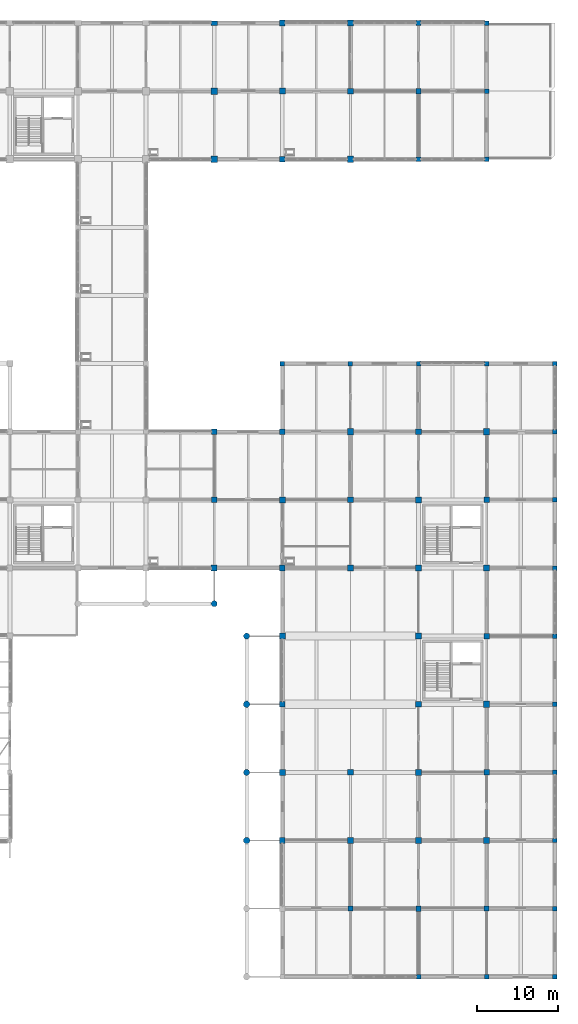
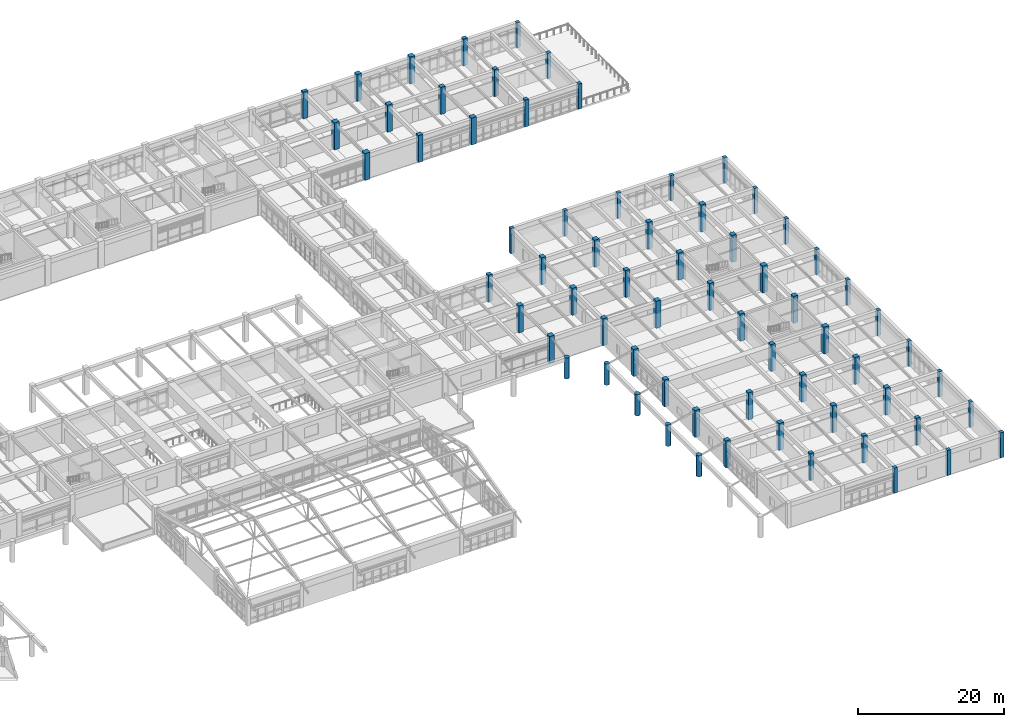
# One storey, part 2 of 99: 68 columns.
"""IFC4 building model written with IfcOpenShell, lengths in metres."""

from ifc_helpers import new_model, si_unit, direction, frame, origin, origin_2d, place, context, subcontext, project, spatial, rectangle, circle, extrude, material, material_profile, profile_set, type_object, element, save


model = new_model("IFC4")

# Units and contexts
model_context = context("Model", 3, precision=1e-05, world=origin(), true_north=direction((0.0, 1.0)))
body_context = subcontext(model_context, "Body", "Model", "MODEL_VIEW")
ifc_project = project(units=[si_unit("LENGTHUNIT", "METRE"), si_unit("AREAUNIT", "SQUARE_METRE"), si_unit("VOLUMEUNIT", "CUBIC_METRE"), si_unit("PLANEANGLEUNIT", "RADIAN"), si_unit("MASSUNIT", "GRAM", prefix="KILO")], contexts=[model_context])

# Site, building, storey
site_placement = place(None, origin())
site = spatial("IfcSite", under=ifc_project, at=site_placement, CompositionType="ELEMENT")
building_placement = place(site_placement, origin())
building = spatial("IfcBuilding", under=site, at=building_placement, Name="Porcellanite Civic Hall", CompositionType="ELEMENT")
storey_placement = place(building_placement, frame((0.0, 0.0, 5.760009765625)))
storey = spatial("IfcBuildingStorey", under=building, at=storey_placement, Name="L01", CompositionType="ELEMENT", Elevation=5.760009765625)

# Columns
ifc_material_1 = material(Name="Concrete N50 (50 MPa)", Category="concrete")
ifc_material_profile_1 = material_profile(ifc_material_1, rectangle(XDim=0.550048828125, YDim=0.550048828125, at=origin_2d()), Name="RC-550x550")
ifc_profile_set_1 = profile_set([ifc_material_profile_1], Name="Concrete N50 (50 MPa)")
column_type_1 = type_object("IfcColumnType", Name="COL-550", PredefinedType="COLUMN", material=ifc_profile_set_1)
for number, where, z_axis, x_axis, name in (
    (1, (142.800048828125, 75.60009765625, 0.0), (0.0, 0.0, 1.0), (1.0, 0.0, 0.0), "Column L01 17-9"),
    (2, (151.199951171875, 75.60009765625, 0.0), (0.0, 0.0, 1.0), (1.0, 0.0, 0.0), "Column L01 18-9"),
    (3, (159.60009765625, 0.0, 0.0), (0.0, 0.0, 1.0), (1.0, 0.0, 0.0), "Column L01 19-0"),
    (4, (159.60009765625, 75.60009765625, 0.0), (0.0, 0.0, 1.0), (1.0, 0.0, 0.0), "Column L01 19-9"),
    (5, (168.0, 0.0, 0.0), (0.0, 0.0, 1.0), (1.0, 0.0, 0.0), "Column L01 20-0"),
    (6, (168.0, 75.60009765625, 0.0), (0.0, 0.0, 1.0), (1.0, 0.0, 0.0), "Column L01 20-9"),
    (7, (168.0, 100.800048828125, 0.0), (0.0, 0.0, 1.0), (1.0, 0.0, 0.0), "Column L01 20-12"),
    (8, (168.0, 109.199951171875, 0.0), (0.0, 0.0, 1.0), (1.0, 0.0, 0.0), "Column L01 20-13"),
    (9, (168.0, 117.60009765625, 0.0), (0.0, 0.0, 1.0), (1.0, 0.0, 0.0), "Column L01 20-14"),
    (10, (176.39990234375, 0.0, 0.0), (0.0, 0.0, 1.0), (1.0, 0.0, 0.0), "Column L01 21-0"),
    (11, (176.39990234375, 8.39990234375, 0.0), (0.0, 0.0, 1.0), (1.0, 0.0, 0.0), "Column L01 21-1"),
    (12, (176.39990234375, 16.800048828125, 0.0), (0.0, 0.0, 1.0), (1.0, 0.0, 0.0), "Column L01 21-2"),
    (13, (176.39990234375, 25.199951171875, 0.0), (0.0, 0.0, 1.0), (1.0, 0.0, 0.0), "Column L01 21-3"),
    (14, (176.39990234375, 33.60009765625, 0.0), (0.0, 0.0, 1.0), (1.0, 0.0, 0.0), "Column L01 21-4"),
    (15, (176.39990234375, 42.0, 0.0), (0.0, 0.0, 1.0), (1.0, 0.0, 0.0), "Column L01 21-5"),
    (16, (176.39990234375, 50.39990234375, 0.0), (0.0, 0.0, 1.0), (1.0, 0.0, 0.0), "Column L01 21-6"),
    (17, (176.39990234375, 58.800048828125, 0.0), (0.0, 0.0, 1.0), (1.0, 0.0, 0.0), "Column L01 21-7"),
    (18, (176.39990234375, 67.199951171875, 0.0), (0.0, 0.0, 1.0), (1.0, 0.0, 0.0), "Column L01 21-8"),
    (19, (176.39990234375, 75.60009765625, 0.0), (0.0, 0.0, 1.0), (1.0, 0.0, 0.0), "Column L01 21-9"),
):
    element("IfcColumn", number, at=place(storey_placement, frame(where, z_axis=z_axis, x_axis=x_axis)), inside=storey, type_object=column_type_1, Name=name, PredefinedType="COLUMN", context=body_context, shape_type="SweptSolid", body=[
        extrude(rectangle(XDim=0.550048828125, YDim=0.550048828125, at=origin_2d()), origin(), (0.0, 0.0, 1.0), 4.199951171875),
    ])
ifc_material_2 = material(Name="Concrete N50 (50 MPa)", Category="concrete")
ifc_material_profile_2 = material_profile(ifc_material_2, rectangle(XDim=0.60009765625, YDim=0.60009765625, at=origin_2d()), Name="RC-600x600")
ifc_profile_set_2 = profile_set([ifc_material_profile_2], Name="Concrete N50 (50 MPa)")
column_type_2 = type_object("IfcColumnType", Name="COL-600", PredefinedType="COLUMN", material=ifc_profile_set_2)
for number, where, z_axis, x_axis, name in (
    (20, (151.199951171875, 8.39990234375, 0.0), (0.0, 0.0, 1.0), (1.0, 0.0, 0.0), "Column L01 18-1"),
    (21, (159.60009765625, 100.800048828125, 0.0), (0.0, 0.0, 1.0), (1.0, 0.0, 0.0), "Column L01 19-12"),
    (22, (159.60009765625, 117.60009765625, 0.0), (0.0, 0.0, 1.0), (1.0, 0.0, 0.0), "Column L01 19-14"),
    (23, (168.0, 8.39990234375, 0.0), (0.0, 0.0, 1.0), (1.0, 0.0, 0.0), "Column L01 20-1"),
):
    element("IfcColumn", number, at=place(storey_placement, frame(where, z_axis=z_axis, x_axis=x_axis)), inside=storey, type_object=column_type_2, Name=name, PredefinedType="COLUMN", context=body_context, shape_type="SweptSolid", body=[
        extrude(rectangle(XDim=0.60009765625, YDim=0.60009765625, at=origin_2d()), origin(), (0.0, 0.0, 1.0), 4.5),
    ])
ifc_material_3 = material(Name="Concrete N50 (50 MPa)", Category="concrete")
ifc_material_profile_3 = material_profile(ifc_material_3, rectangle(XDim=0.64990234375, YDim=0.64990234375, at=origin_2d()), Name="RC-650x650")
ifc_profile_set_3 = profile_set([ifc_material_profile_3], Name="Concrete N50 (50 MPa)")
column_type_3 = type_object("IfcColumnType", Name="COL-650", PredefinedType="COLUMN", material=ifc_profile_set_3)
for number, where, z_axis, x_axis, name in (
    (24, (134.39990234375, 67.199951171875, 0.0), (0.0, 0.0, 1.0), (1.0, 0.0, 0.0), "Column L01 16-8"),
    (25, (159.60009765625, 8.39990234375, 0.0), (0.0, 0.0, 1.0), (1.0, 0.0, 0.0), "Column L01 19-1"),
    (26, (159.60009765625, 109.199951171875, 0.0), (0.0, 0.0, 1.0), (1.0, 0.0, 0.0), "Column L01 19-13"),
):
    element("IfcColumn", number, at=place(storey_placement, frame(where, z_axis=z_axis, x_axis=x_axis)), inside=storey, type_object=column_type_3, Name=name, PredefinedType="COLUMN", context=body_context, shape_type="SweptSolid", body=[
        extrude(rectangle(XDim=0.64990234375, YDim=0.64990234375, at=origin_2d()), origin(), (0.0, 0.0, 1.0), 4.5),
    ])
ifc_material_4 = material(Name="Concrete N50 (50 MPa)", Category="concrete")
ifc_material_profile_4 = material_profile(ifc_material_4, rectangle(XDim=0.699951171875, YDim=0.699951171875, at=origin_2d()), Name="RC-700x700")
ifc_profile_set_4 = profile_set([ifc_material_profile_4], Name="Concrete N50 (50 MPa)")
column_type_4 = type_object("IfcColumnType", Name="COL-700", PredefinedType="COLUMN", material=ifc_profile_set_4)
for number, where, z_axis, x_axis, name in (
    (27, (134.39990234375, 58.800048828125, 0.0), (0.0, 0.0, 1.0), (1.0, 0.0, 0.0), "Column L01 16-7"),
    (28, (142.800048828125, 16.800048828125, 0.0), (0.0, 0.0, 1.0), (1.0, 0.0, 0.0), "Column L01 17-2"),
    (29, (142.800048828125, 33.60009765625, 0.0), (0.0, 0.0, 1.0), (1.0, 0.0, 0.0), "Column L01 17-4"),
    (30, (142.800048828125, 50.39990234375, 0.0), (0.0, 0.0, 1.0), (1.0, 0.0, 0.0), "Column L01 17-6"),
    (31, (142.800048828125, 67.199951171875, 0.0), (0.0, 0.0, 1.0), (1.0, 0.0, 0.0), "Column L01 17-8"),
    (32, (142.800048828125, 100.800048828125, 0.0), (0.0, 0.0, 1.0), (1.0, 0.0, 0.0), "Column L01 17-12"),
    (33, (142.800048828125, 117.60009765625, 0.0), (0.0, 0.0, 1.0), (1.0, 0.0, 0.0), "Column L01 17-14"),
    (34, (151.199951171875, 25.199951171875, 0.0), (0.0, 0.0, 1.0), (1.0, 0.0, 0.0), "Column L01 18-3"),
    (35, (151.199951171875, 58.800048828125, 0.0), (0.0, 0.0, 1.0), (1.0, 0.0, 0.0), "Column L01 18-7"),
    (36, (151.199951171875, 109.199951171875, 0.0), (0.0, 0.0, 1.0), (1.0, 0.0, 0.0), "Column L01 18-13"),
    (37, (159.60009765625, 16.800048828125, 0.0), (0.0, 0.0, 1.0), (1.0, 0.0, 0.0), "Column L01 19-2"),
    (38, (159.60009765625, 33.60009765625, 0.0), (0.0, 0.0, 1.0), (1.0, 0.0, 0.0), "Column L01 19-4"),
    (39, (159.60009765625, 50.39990234375, 0.0), (0.0, 0.0, 1.0), (1.0, 0.0, 0.0), "Column L01 19-6"),
    (40, (159.60009765625, 67.199951171875, 0.0), (0.0, 0.0, 1.0), (1.0, 0.0, 0.0), "Column L01 19-8"),
    (41, (168.0, 25.199951171875, 0.0), (0.0, 0.0, 1.0), (1.0, 0.0, 0.0), "Column L01 20-3"),
    (42, (168.0, 42.0, 0.0), (0.0, 0.0, 1.0), (1.0, 0.0, 0.0), "Column L01 20-5"),
    (43, (168.0, 58.800048828125, 0.0), (0.0, 0.0, 1.0), (1.0, 0.0, 0.0), "Column L01 20-7"),
):
    element("IfcColumn", number, at=place(storey_placement, frame(where, z_axis=z_axis, x_axis=x_axis)), inside=storey, type_object=column_type_4, Name=name, PredefinedType="COLUMN", context=body_context, shape_type="SweptSolid", body=[
        extrude(rectangle(XDim=0.699951171875, YDim=0.699951171875, at=origin_2d()), origin(), (0.0, 0.0, 1.0), 4.5),
    ])
ifc_material_5 = material(Name="Concrete N50 (50 MPa)", Category="concrete")
ifc_material_profile_5 = material_profile(ifc_material_5, rectangle(XDim=0.75, YDim=0.75, at=origin_2d()), Name="RC-750x750")
ifc_profile_set_5 = profile_set([ifc_material_profile_5], Name="Concrete N50 (50 MPa)")
column_type_5 = type_object("IfcColumnType", Name="COL-750", PredefinedType="COLUMN", material=ifc_profile_set_5)
for number, where, z_axis, x_axis, name in (
    (44, (134.39990234375, 50.39990234375, 0.0), (0.0, 0.0, 1.0), (1.0, 0.0, 0.0), "Column L01 16-6"),
    (45, (142.800048828125, 25.199951171875, 0.0), (0.0, 0.0, 1.0), (1.0, 0.0, 0.0), "Column L01 17-3"),
    (46, (142.800048828125, 42.0, 0.0), (0.0, 0.0, 1.0), (1.0, 0.0, 0.0), "Column L01 17-5"),
    (47, (142.800048828125, 58.800048828125, 0.0), (0.0, 0.0, 1.0), (1.0, 0.0, 0.0), "Column L01 17-7"),
    (48, (142.800048828125, 109.199951171875, 0.0), (0.0, 0.0, 1.0), (1.0, 0.0, 0.0), "Column L01 17-13"),
    (49, (151.199951171875, 16.800048828125, 0.0), (0.0, 0.0, 1.0), (1.0, 0.0, 0.0), "Column L01 18-2"),
    (50, (151.199951171875, 50.39990234375, 0.0), (0.0, 0.0, 1.0), (1.0, 0.0, 0.0), "Column L01 18-6"),
    (51, (151.199951171875, 67.199951171875, 0.0), (0.0, 0.0, 1.0), (1.0, 0.0, 0.0), "Column L01 18-8"),
    (52, (151.199951171875, 100.800048828125, 0.0), (0.0, 0.0, 1.0), (1.0, 0.0, 0.0), "Column L01 18-12"),
    (53, (151.199951171875, 117.60009765625, 0.0), (0.0, 0.0, 1.0), (1.0, 0.0, 0.0), "Column L01 18-14"),
    (54, (159.60009765625, 25.199951171875, 0.0), (0.0, 0.0, 1.0), (1.0, 0.0, 0.0), "Column L01 19-3"),
    (55, (159.60009765625, 42.0, 0.0), (0.0, 0.0, 1.0), (1.0, 0.0, 0.0), "Column L01 19-5"),
    (56, (159.60009765625, 58.800048828125, 0.0), (0.0, 0.0, 1.0), (1.0, 0.0, 0.0), "Column L01 19-7"),
    (57, (168.0, 16.800048828125, 0.0), (0.0, 0.0, 1.0), (1.0, 0.0, 0.0), "Column L01 20-2"),
    (58, (168.0, 33.60009765625, 0.0), (0.0, 0.0, 1.0), (1.0, 0.0, 0.0), "Column L01 20-4"),
    (59, (168.0, 50.39990234375, 0.0), (0.0, 0.0, 1.0), (1.0, 0.0, 0.0), "Column L01 20-6"),
    (60, (168.0, 67.199951171875, 0.0), (0.0, 0.0, 1.0), (1.0, 0.0, 0.0), "Column L01 20-8"),
):
    element("IfcColumn", number, at=place(storey_placement, frame(where, z_axis=z_axis, x_axis=x_axis)), inside=storey, type_object=column_type_5, Name=name, PredefinedType="COLUMN", context=body_context, shape_type="SweptSolid", body=[
        extrude(rectangle(XDim=0.75, YDim=0.75, at=origin_2d()), origin(), (0.0, 0.0, 1.0), 4.5),
    ])
ifc_material_6 = material(Name="Concrete N50 (50 MPa)", Category="concrete")
ifc_material_profile_6 = material_profile(ifc_material_6, rectangle(XDim=0.800048828125, YDim=0.800048828125, at=origin_2d()), Name="RC-800x800")
ifc_profile_set_6 = profile_set([ifc_material_profile_6], Name="Concrete N50 (50 MPa)")
column_type_6 = type_object("IfcColumnType", Name="COL-800", PredefinedType="COLUMN", material=ifc_profile_set_6)
for number, where, z_axis, x_axis, name in (
    (61, (134.39990234375, 100.800048828125, 0.0), (0.0, 0.0, 1.0), (1.0, 0.0, 0.0), "Column L01 16-12"),
    (62, (134.39990234375, 109.199951171875, 0.0), (0.0, 0.0, 1.0), (1.0, 0.0, 0.0), "Column L01 16-13"),
):
    element("IfcColumn", number, at=place(storey_placement, frame(where, z_axis=z_axis, x_axis=x_axis)), inside=storey, type_object=column_type_6, Name=name, PredefinedType="COLUMN", context=body_context, shape_type="SweptSolid", body=[
        extrude(rectangle(XDim=0.800048828125, YDim=0.800048828125, at=origin_2d()), origin(), (0.0, 0.0, 1.0), 4.5),
    ])
ifc_material_7 = material(Name="Concrete N50 (50 MPa)", Category="concrete")
ifc_material_profile_7 = material_profile(ifc_material_7, rectangle(XDim=0.800048828125, YDim=0.550048828125, at=origin_2d()), Name="RC-800x550")
ifc_profile_set_7 = profile_set([ifc_material_profile_7], Name="Concrete N50 (50 MPa)")
column_type_7 = type_object("IfcColumnType", Name="COL-800x550", PredefinedType="COLUMN", material=ifc_profile_set_7)
column_placement = place(storey_placement, frame((134.39990234375, 117.60009765625, 0.0), z_axis=(0.0, 0.0, 1.0), x_axis=(1.0, 0.0, 0.0)))
element("IfcColumn", 63, at=column_placement, inside=storey, type_object=column_type_7, Name="Column L01 16-14", PredefinedType="COLUMN", context=body_context, shape_type="SweptSolid", body=[
    extrude(rectangle(XDim=0.800048828125, YDim=0.550048828125, at=origin_2d()), origin(), (0.0, 0.0, 1.0), 4.5),
])
ifc_material_8 = material(Name="Concrete N50 (50 MPa)", Category="concrete")
ifc_material_profile_8 = material_profile(ifc_material_8, circle(Radius=0.375, at=origin_2d()), Name="RC-D750")
ifc_profile_set_8 = profile_set([ifc_material_profile_8], Name="Concrete N50 (50 MPa)")
column_type_8 = type_object("IfcColumnType", Name="PIER-D750", PredefinedType="PILASTER", material=ifc_profile_set_8)
for number, where, z_axis, x_axis, name in (
    (64, (138.39990234375, 25.199951171875, 0.0), (0.0, 0.0, 1.0), (1.0, 0.0, 0.0), "Colonnade pier L01 COL-E-P04"),
    (65, (138.39990234375, 42.0, 0.0), (0.0, 0.0, 1.0), (1.0, 0.0, 0.0), "Colonnade pier L01 COL-E-P06"),
    (66, (134.39990234375, 46.0, 0.0), (0.0, 0.0, 1.0), (1.0, 0.0, 0.0), "Colonnade pier L01 COL-NE-P03"),
):
    element("IfcColumn", number, at=place(storey_placement, frame(where, z_axis=z_axis, x_axis=x_axis)), inside=storey, type_object=column_type_8, Name=name, PredefinedType="PILASTER", context=body_context, shape_type="SweptSolid", body=[
        extrude(circle(Radius=0.375, at=origin_2d()), origin(), (0.0, 0.0, 1.0), 3.530029296875),
    ])
ifc_material_9 = material(Name="Concrete N50 (50 MPa)", Category="concrete")
ifc_material_profile_9 = material_profile(ifc_material_9, circle(Radius=0.39990234375, at=origin_2d()), Name="RC-D800")
ifc_profile_set_9 = profile_set([ifc_material_profile_9], Name="Concrete N50 (50 MPa)")
column_type_9 = type_object("IfcColumnType", Name="PIER-D800", PredefinedType="PILASTER", material=ifc_profile_set_9)
for number, where, z_axis, x_axis, name in (
    (67, (138.39990234375, 16.800048828125, 0.0), (0.0, 0.0, 1.0), (1.0, 0.0, 0.0), "Colonnade pier L01 COL-E-P03"),
    (68, (138.39990234375, 33.60009765625, 0.0), (0.0, 0.0, 1.0), (1.0, 0.0, 0.0), "Colonnade pier L01 COL-E-P05"),
):
    element("IfcColumn", number, at=place(storey_placement, frame(where, z_axis=z_axis, x_axis=x_axis)), inside=storey, type_object=column_type_9, Name=name, PredefinedType="PILASTER", context=body_context, shape_type="SweptSolid", body=[
        extrude(circle(Radius=0.39990234375, at=origin_2d()), origin(), (0.0, 0.0, 1.0), 3.530029296875),
    ])

save(model, "model.ifc")
